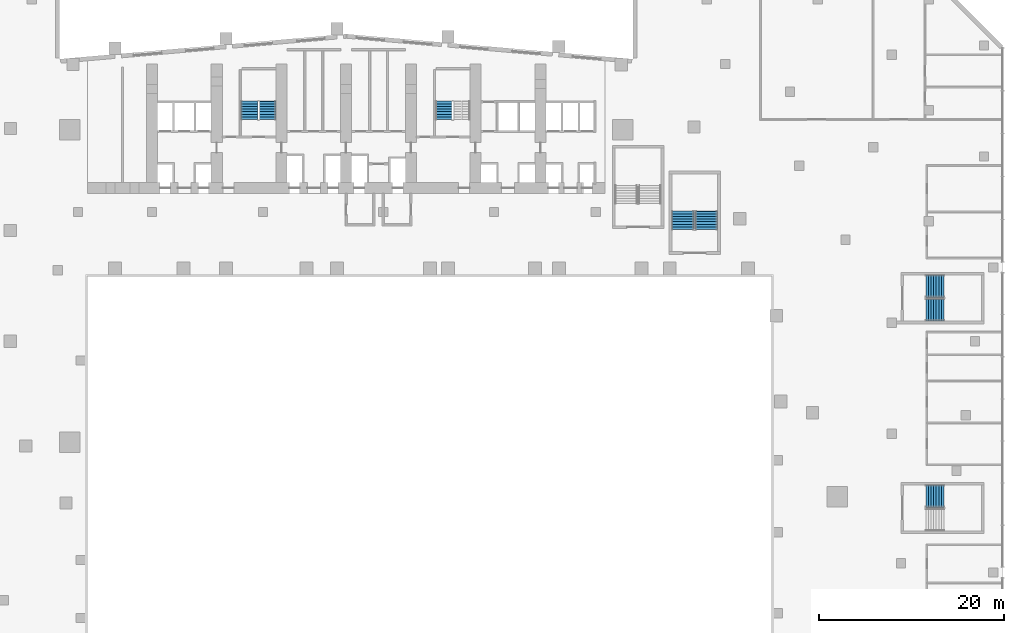
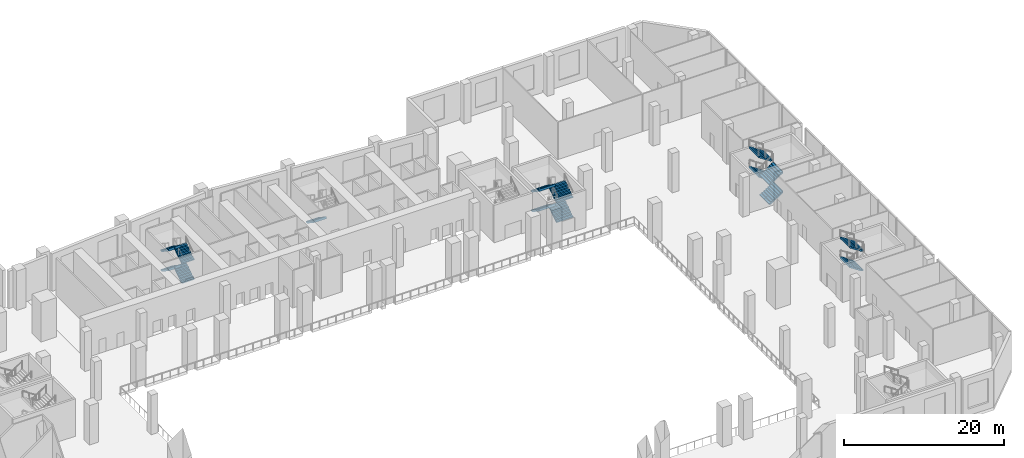
# One storey, part 20 of 30: 15 stair flights, 5 elements without a shape of their own.
"""IFC4 building model written with IfcOpenShell, lengths in metres."""

import ifcopenshell
import ifcopenshell.guid

model = None  # the IFC model being written
_history = None  # IfcOwnerHistory: only IFC2X3 demands one
_inside = {}  # id of a spatial element -> (the spatial element, [elements in it])
_under = {}  # id of a project, library or spatial element -> (it, [spatial elements below it])
_declared = {}  # id of a project -> (the project, [libraries it declares])
_typed = {}  # id of a type object -> (the type object, [elements of that type])
_made_of = {}  # id of a material, layer set ... -> (it, [elements and type objects made of it])


def new_model(schema):
    """Start an empty IFC model of exactly this schema.

    Asked for "IFC4X3", IfcOpenShell would pick the latest addendum, in which some entities
    have other attributes; the version numbers below select the first issue.
    IFC2X3 requires an IfcOwnerHistory on every rooted entity: one is made here for all.
    """
    global model, _history
    if schema == "IFC4X3":
        model = ifcopenshell.file(schema_version=(4, 3, 0, 0))
    else:
        model = ifcopenshell.file(schema=schema)
    _inside.clear()
    _under.clear()
    _declared.clear()
    _typed.clear()
    _made_of.clear()
    _history = None
    if model.schema == "IFC2X3":
        org = make("IfcOrganization", Name="unknown")
        user = make(
            "IfcPersonAndOrganization",
            ThePerson=make("IfcPerson", FamilyName="unknown"),
            TheOrganization=org,
        )
        app = make(
            "IfcApplication",
            ApplicationDeveloper=org,
            Version="unknown",
            ApplicationFullName="unknown",
            ApplicationIdentifier="unknown",
        )
        _history = make(
            "IfcOwnerHistory",
            OwningUser=user,
            OwningApplication=app,
            ChangeAction="ADDED",
            CreationDate=0,
        )
    return model


def make(cls, **values):
    """One entity of the class cls with the attributes given. An attribute that is None is left unset."""
    return model.create_entity(
        cls, **{name: value for name, value in values.items() if value is not None}
    )


def rooted(cls, **values):
    """An entity with a GlobalId (a new one), such as an element, a storey or a relation."""
    return make(cls, GlobalId=ifcopenshell.guid.new(), OwnerHistory=_history, **values)


def si_unit(unit_type, name, prefix=None):
    """IfcSIUnit, for example si_unit("LENGTHUNIT", "METRE", prefix="MILLI")."""
    return make("IfcSIUnit", UnitType=unit_type, Prefix=prefix, Name=name)


def assignment(units):
    """IfcUnitAssignment: the units of a project."""
    return None if units is None else make("IfcUnitAssignment", Units=units)


def point(xyz):
    """IfcCartesianPoint."""
    return None if xyz is None else make("IfcCartesianPoint", Coordinates=xyz)


def direction(xyz):
    """IfcDirection."""
    return None if xyz is None else make("IfcDirection", DirectionRatios=xyz)


def frame(location, z_axis=None, x_axis=None):
    """IfcAxis2Placement3D, a coordinate frame: its origin and axes. An axis left out is left unset."""
    return make(
        "IfcAxis2Placement3D",
        Location=point(location),
        Axis=direction(z_axis),
        RefDirection=direction(x_axis),
    )


def origin():
    """The frame at (0, 0, 0) with its axes left unset."""
    return frame((0.0, 0.0, 0.0))


def place(relative_to, where):
    """IfcLocalPlacement: puts the frame where relative to a parent placement (None: the world)."""
    return make(
        "IfcLocalPlacement", PlacementRelTo=relative_to, RelativePlacement=where
    )


def context(
    kind, dimensions, precision=None, world=None, true_north=None, identifier=None
):
    """IfcGeometricRepresentationContext, for example the 3D "Model" context."""
    return make(
        "IfcGeometricRepresentationContext",
        ContextIdentifier=identifier,
        ContextType=kind,
        CoordinateSpaceDimension=dimensions,
        Precision=precision,
        WorldCoordinateSystem=world,
        TrueNorth=true_north,
    )


def subcontext(parent, identifier, kind, view, scale=None):
    """IfcGeometricRepresentationSubContext, for example "Body" below "Model"."""
    return make(
        "IfcGeometricRepresentationSubContext",
        ContextIdentifier=identifier,
        ContextType=kind,
        ParentContext=parent,
        TargetScale=scale,
        TargetView=view,
    )


def project(units=None, contexts=None):
    """IfcProject with its units and contexts."""
    return rooted(
        "IfcProject",
        Name="project",
        RepresentationContexts=contexts,
        UnitsInContext=assignment(units),
    )


def spatial(cls, under=None, at=None, **own):
    """A site, building, storey or space (cls), placed at a placement, below another one or the project."""
    s = rooted(cls, ObjectPlacement=at, **own)
    if under is not None:
        _under.setdefault(under.id(), (under, []))[1].append(s)
    return s


def polyline(points):
    """IfcPolyline through the points."""
    return make("IfcPolyline", Points=[point(p) for p in points])


def outline(outer, holes=None, kind="AREA"):
    """IfcArbitraryClosedProfileDef: a profile drawn as a closed curve; with holes, ...WithVoids."""
    if holes is None:
        return make("IfcArbitraryClosedProfileDef", ProfileType=kind, OuterCurve=outer)
    return make(
        "IfcArbitraryProfileDefWithVoids",
        ProfileType=kind,
        OuterCurve=outer,
        InnerCurves=holes,
    )


def extrude(swept, where, along, depth):
    """IfcExtrudedAreaSolid: the profile swept, set in the frame where, extruded along a direction by depth."""
    return make(
        "IfcExtrudedAreaSolid",
        SweptArea=swept,
        Position=where,
        ExtrudedDirection=direction(along),
        Depth=depth,
    )


def shape(context_of_items, identifier, shape_type, items):
    """IfcShapeRepresentation: the items that make up one representation, for example the "Body"."""
    return make(
        "IfcShapeRepresentation",
        ContextOfItems=context_of_items,
        RepresentationIdentifier=identifier,
        RepresentationType=shape_type,
        Items=items,
    )


def material(Name=None, Category=None):
    """IfcMaterial."""
    return make("IfcMaterial", Name=Name, Category=Category)


def made_of(thing, what):
    """Note that an element or type object is made of a material, layer set ...; save() writes the relation."""
    if what is not None:
        _made_of.setdefault(what.id(), (what, []))[1].append(thing)
    return thing


def type_object(cls, material=None, **own):
    """A type object (cls), such as IfcWallType, which elements share."""
    return made_of(rooted(cls, **own), material)


def element(
    cls,
    number,
    at=None,
    inside=None,
    cuts=None,
    type_object=None,
    material=None,
    context=None,
    identifier="Body",
    shape_type=None,
    held_by="IfcProductDefinitionShape",
    body=None,
    shapes=None,
    **own,
):
    """One element of the class cls, such as IfcWall. Its Tag is "e" and its number.

    at: its placement. inside: the storey or other place that contains it. cuts: it is an
    opening in that element (IfcRelVoidsElement). A single representation is given by context,
    identifier, shape_type and body (its items); several are given by shapes. held_by: the class
    of the entity that holds the representations. save() writes the other relations.
    """
    e = rooted(cls, Tag="e%d" % number, ObjectPlacement=at, **own)
    if body is not None:
        shapes = [shape(context, identifier, shape_type, body)]
    if shapes is not None:
        e.Representation = make(held_by, Representations=shapes)
    if inside is not None:
        _inside.setdefault(inside.id(), (inside, []))[1].append(e)
    if cuts is not None:
        rooted(
            "IfcRelVoidsElement", RelatingBuildingElement=cuts, RelatedOpeningElement=e
        )
    if type_object is not None:
        _typed.setdefault(type_object.id(), (type_object, []))[1].append(e)
    return made_of(e, material)


def aggregate(whole, parts):
    """IfcRelAggregates: a whole, such as a stair, and the parts it consists of."""
    return rooted("IfcRelAggregates", RelatingObject=whole, RelatedObjects=parts)


def save(model, path):
    """Write the relations noted so far, then the file.

    IfcRelAggregates (storeys below a building ...), IfcRelContainedInSpatialStructure (elements
    in a storey), IfcRelDefinesByType, IfcRelAssociatesMaterial and IfcRelDeclares: one each for
    every whole, place, type object, material and project.
    """
    for whole, parts in _under.values():
        aggregate(whole, parts)
    for where, things in _inside.values():
        rooted(
            "IfcRelContainedInSpatialStructure",
            RelatedElements=things,
            RelatingStructure=where,
        )
    for kind, things in _typed.values():
        rooted("IfcRelDefinesByType", RelatedObjects=things, RelatingType=kind)
    for what, things in _made_of.values():
        rooted("IfcRelAssociatesMaterial", RelatedObjects=things, RelatingMaterial=what)
    for by, libraries in _declared.values():
        rooted("IfcRelDeclares", RelatingContext=by, RelatedDefinitions=libraries)
    model.write(path)


model = new_model("IFC4")

# Units and contexts
model_context = context("Model", 3, precision=1e-05, world=origin(), true_north=direction((0.0, 1.0)))
body_context = subcontext(model_context, "Body", "Model", "MODEL_VIEW")
ifc_project = project(units=[si_unit("LENGTHUNIT", "METRE"), si_unit("AREAUNIT", "SQUARE_METRE"), si_unit("VOLUMEUNIT", "CUBIC_METRE"), si_unit("PLANEANGLEUNIT", "RADIAN"), si_unit("MASSUNIT", "GRAM", prefix="KILO")], contexts=[model_context])

# Site, building, storey
site_placement = place(None, origin())
site = spatial("IfcSite", under=ifc_project, at=site_placement, CompositionType="ELEMENT")
building_placement = place(site_placement, origin())
building = spatial("IfcBuilding", under=site, at=building_placement, Name="Wharfspan Tower", CompositionType="ELEMENT")
storey_placement = place(building_placement, frame((0.0, 0.0, 21.5)))
storey = spatial("IfcBuildingStorey", under=building, at=storey_placement, Name="L03", CompositionType="ELEMENT", Elevation=21.5)

# Stair, stair flights
ifc_material = material(Name="Concrete C40/50", Category="concrete")
stair_type_1 = type_object("IfcStairType", Name="Half-turn stair 2400 wide 32 risers 188 mm", PredefinedType="HALF_TURN_STAIR", material=ifc_material)
stair_1_placement = place(storey_placement, origin())
stair_1 = element("IfcStair", 1, at=stair_1_placement, inside=storey, type_object=stair_type_1, Name="L03 stair AS8", PredefinedType="HALF_TURN_STAIR")
stair_flight_type_1 = type_object("IfcStairFlightType", Name="Stair flight 2400 wide 32 risers 188 mm", PredefinedType="STRAIGHT", material=ifc_material)
stair_flight_1_placement = place(storey_placement, frame((101.659912, 1.25, 1.5), z_axis=(0.0, 0.0, 1.0), x_axis=(-1.0, 0.0, 0.0)))
stair_flight_1 = element("IfcStairFlight", 2, at=stair_flight_1_placement, type_object=stair_flight_type_1, Name="AS8 flight 2", NumberOfRisers=8, NumberOfTreads=7, PredefinedType="STRAIGHT", RiserHeight=0.1875, TreadLength=0.28, context=body_context, shape_type="SweptSolid", body=[
    extrude(outline(polyline([(-0.011963, 0.0), (-0.011963, 0.1875), (0.0, 0.1875), (0.280029, 0.1875), (0.280029, 0.375), (0.560059, 0.375), (0.560059, 0.5625), (0.840088, 0.5625), (0.840088, 0.75), (1.120117, 0.75), (1.120117, 0.9375), (1.399902, 0.9375), (1.399902, 1.125), (1.679932, 1.125), (1.679932, 1.3125), (1.959961, 1.3125), (1.971924, 1.5), (1.971924, 1.13208), (0.269531, 0.0), (-0.011963, 0.0)])), frame((0.0, 1.199951, 0.0), z_axis=(0.0, -1.0, 0.0), x_axis=(1.0, 0.0, 0.0)), (0.0, 0.0, 1.0), 1.179443),
    extrude(outline(polyline([(-0.011963, 0.0), (-0.011963, 0.1875), (0.0, 0.1875), (0.280029, 0.1875), (0.280029, 0.375), (0.560059, 0.375), (0.560059, 0.5625), (0.840088, 0.5625), (0.840088, 0.75), (1.120117, 0.75), (1.120117, 0.9375), (1.399902, 0.9375), (1.399902, 1.125), (1.679932, 1.125), (1.679932, 1.3125), (1.959961, 1.3125), (1.971924, 1.5), (1.971924, 1.13208), (0.269531, 0.0), (-0.011963, 0.0)])), frame((0.0, 0.019531, 0.0), z_axis=(0.0, -1.0, 0.0), x_axis=(1.0, 0.0, 0.0)), (0.0, 0.0, 1.0), 0.019043),
    extrude(outline(polyline([(-0.011963, 0.0), (-0.011963, 0.1875), (0.0, 0.1875), (0.280029, 0.1875), (0.280029, 0.375), (0.560059, 0.375), (0.560059, 0.5625), (0.840088, 0.5625), (0.840088, 0.75), (1.120117, 0.75), (1.120117, 0.9375), (1.399902, 0.9375), (1.399902, 1.125), (1.679932, 1.125), (1.679932, 1.3125), (1.959961, 1.3125), (1.971924, 1.5), (1.971924, 1.13208), (0.269531, 0.0), (-0.011963, 0.0)])), frame((0.0, -0.000488, 0.0), z_axis=(0.0, -1.0, 0.0), x_axis=(1.0, 0.0, 0.0)), (0.0, 0.0, 1.0), 0.019043),
    extrude(outline(polyline([(-0.011963, 0.0), (-0.011963, 0.1875), (0.0, 0.1875), (0.280029, 0.1875), (0.280029, 0.375), (0.560059, 0.375), (0.560059, 0.5625), (0.840088, 0.5625), (0.840088, 0.75), (1.120117, 0.75), (1.120117, 0.9375), (1.399902, 0.9375), (1.399902, 1.125), (1.679932, 1.125), (1.679932, 1.3125), (1.959961, 1.3125), (1.971924, 1.5), (1.971924, 1.13208), (0.269531, 0.0), (-0.011963, 0.0)])), frame((0.0, -0.020508, 0.0), z_axis=(0.0, -1.0, 0.0), x_axis=(1.0, 0.0, 0.0)), (0.0, 0.0, 1.0), 1.179443),
])
stair_flight_2_placement = place(storey_placement, frame((101.659912, 1.25, 4.5), z_axis=(0.0, 0.0, 1.0), x_axis=(-1.0, 0.0, 0.0)))
stair_flight_2 = element("IfcStairFlight", 3, at=stair_flight_2_placement, type_object=stair_flight_type_1, Name="AS8 flight 4", NumberOfRisers=8, NumberOfTreads=7, PredefinedType="STRAIGHT", RiserHeight=0.1875, TreadLength=0.28, context=body_context, shape_type="SweptSolid", body=[
    extrude(outline(polyline([(-0.011963, 0.0), (-0.011963, 0.1875), (0.0, 0.1875), (0.280029, 0.1875), (0.280029, 0.375), (0.560059, 0.375), (0.560059, 0.5625), (0.840088, 0.5625), (0.840088, 0.75), (1.120117, 0.75), (1.120117, 0.9375), (1.399902, 0.9375), (1.399902, 1.125), (1.679932, 1.125), (1.679932, 1.3125), (1.959961, 1.3125), (1.971924, 1.5), (1.971924, 1.13208), (0.269531, 0.0), (-0.011963, 0.0)])), frame((0.0, 1.199951, 0.0), z_axis=(0.0, -1.0, 0.0), x_axis=(1.0, 0.0, 0.0)), (0.0, 0.0, 1.0), 1.179443),
    extrude(outline(polyline([(-0.011963, 0.0), (-0.011963, 0.1875), (0.0, 0.1875), (0.280029, 0.1875), (0.280029, 0.375), (0.560059, 0.375), (0.560059, 0.5625), (0.840088, 0.5625), (0.840088, 0.75), (1.120117, 0.75), (1.120117, 0.9375), (1.399902, 0.9375), (1.399902, 1.125), (1.679932, 1.125), (1.679932, 1.3125), (1.959961, 1.3125), (1.971924, 1.5), (1.971924, 1.13208), (0.269531, 0.0), (-0.011963, 0.0)])), frame((0.0, 0.019531, 0.0), z_axis=(0.0, -1.0, 0.0), x_axis=(1.0, 0.0, 0.0)), (0.0, 0.0, 1.0), 0.019043),
    extrude(outline(polyline([(-0.011963, 0.0), (-0.011963, 0.1875), (0.0, 0.1875), (0.280029, 0.1875), (0.280029, 0.375), (0.560059, 0.375), (0.560059, 0.5625), (0.840088, 0.5625), (0.840088, 0.75), (1.120117, 0.75), (1.120117, 0.9375), (1.399902, 0.9375), (1.399902, 1.125), (1.679932, 1.125), (1.679932, 1.3125), (1.959961, 1.3125), (1.971924, 1.5), (1.971924, 1.13208), (0.269531, 0.0), (-0.011963, 0.0)])), frame((0.0, -0.000488, 0.0), z_axis=(0.0, -1.0, 0.0), x_axis=(1.0, 0.0, 0.0)), (0.0, 0.0, 1.0), 0.019043),
    extrude(outline(polyline([(-0.011963, 0.0), (-0.011963, 0.1875), (0.0, 0.1875), (0.280029, 0.1875), (0.280029, 0.375), (0.560059, 0.375), (0.560059, 0.5625), (0.840088, 0.5625), (0.840088, 0.75), (1.120117, 0.75), (1.120117, 0.9375), (1.399902, 0.9375), (1.399902, 1.125), (1.679932, 1.125), (1.679932, 1.3125), (1.959961, 1.3125), (1.971924, 1.5), (1.971924, 1.13208), (0.269531, 0.0), (-0.011963, 0.0)])), frame((0.0, -0.020508, 0.0), z_axis=(0.0, -1.0, 0.0), x_axis=(1.0, 0.0, 0.0)), (0.0, 0.0, 1.0), 1.179443),
])
aggregate(stair_1, [stair_flight_1, stair_flight_2])

stair_2_placement = place(storey_placement, origin())
stair_2 = element("IfcStair", 4, at=stair_2_placement, inside=storey, type_object=stair_type_1, Name="L03 stair AS4", PredefinedType="HALF_TURN_STAIR")
stair_flight_3_placement = place(storey_placement, frame((99.699951, 21.399902, 0.0), z_axis=(0.0, 0.0, 1.0), x_axis=(1.0, 0.0, 0.0)))
stair_flight_3 = element("IfcStairFlight", 5, at=stair_flight_3_placement, type_object=stair_flight_type_1, Name="AS4 flight 1", NumberOfRisers=8, NumberOfTreads=7, PredefinedType="STRAIGHT", RiserHeight=0.1875, TreadLength=0.28, context=body_context, shape_type="SweptSolid", body=[
    extrude(outline(polyline([(-0.011963, 0.0), (-0.011963, 0.1875), (0.0, 0.1875), (0.280029, 0.1875), (0.280029, 0.375), (0.560059, 0.375), (0.560059, 0.5625), (0.840088, 0.5625), (0.840088, 0.75), (1.120117, 0.75), (1.120117, 0.9375), (1.399902, 0.9375), (1.399902, 1.125), (1.679932, 1.125), (1.679932, 1.3125), (1.959961, 1.3125), (1.971924, 1.5), (1.971924, 1.13208), (0.269531, 0.0), (-0.011963, 0.0)])), frame((0.0, 1.199951, 0.0), z_axis=(0.0, -1.0, 0.0), x_axis=(1.0, 0.0, 0.0)), (0.0, 0.0, 1.0), 1.179443),
    extrude(outline(polyline([(-0.011963, 0.0), (-0.011963, 0.1875), (0.0, 0.1875), (0.280029, 0.1875), (0.280029, 0.375), (0.560059, 0.375), (0.560059, 0.5625), (0.840088, 0.5625), (0.840088, 0.75), (1.120117, 0.75), (1.120117, 0.9375), (1.399902, 0.9375), (1.399902, 1.125), (1.679932, 1.125), (1.679932, 1.3125), (1.959961, 1.3125), (1.971924, 1.5), (1.971924, 1.13208), (0.269531, 0.0), (-0.011963, 0.0)])), frame((0.0, 0.019531, 0.0), z_axis=(0.0, -1.0, 0.0), x_axis=(1.0, 0.0, 0.0)), (0.0, 0.0, 1.0), 0.019043),
    extrude(outline(polyline([(-0.011963, 0.0), (-0.011963, 0.1875), (0.0, 0.1875), (0.280029, 0.1875), (0.280029, 0.375), (0.560059, 0.375), (0.560059, 0.5625), (0.840088, 0.5625), (0.840088, 0.75), (1.120117, 0.75), (1.120117, 0.9375), (1.399902, 0.9375), (1.399902, 1.125), (1.679932, 1.125), (1.679932, 1.3125), (1.959961, 1.3125), (1.971924, 1.5), (1.971924, 1.13208), (0.269531, 0.0), (-0.011963, 0.0)])), frame((0.0, -0.000488, 0.0), z_axis=(0.0, -1.0, 0.0), x_axis=(1.0, 0.0, 0.0)), (0.0, 0.0, 1.0), 0.019043),
    extrude(outline(polyline([(-0.011963, 0.0), (-0.011963, 0.1875), (0.0, 0.1875), (0.280029, 0.1875), (0.280029, 0.375), (0.560059, 0.375), (0.560059, 0.5625), (0.840088, 0.5625), (0.840088, 0.75), (1.120117, 0.75), (1.120117, 0.9375), (1.399902, 0.9375), (1.399902, 1.125), (1.679932, 1.125), (1.679932, 1.3125), (1.959961, 1.3125), (1.971924, 1.5), (1.971924, 1.13208), (0.269531, 0.0), (-0.011963, 0.0)])), frame((0.0, -0.020508, 0.0), z_axis=(0.0, -1.0, 0.0), x_axis=(1.0, 0.0, 0.0)), (0.0, 0.0, 1.0), 1.179443),
])
stair_flight_4_placement = place(storey_placement, frame((101.659912, 23.949951, 1.5), z_axis=(0.0, 0.0, 1.0), x_axis=(-1.0, 0.0, 0.0)))
stair_flight_4 = element("IfcStairFlight", 6, at=stair_flight_4_placement, type_object=stair_flight_type_1, Name="AS4 flight 2", NumberOfRisers=8, NumberOfTreads=7, PredefinedType="STRAIGHT", RiserHeight=0.1875, TreadLength=0.28, context=body_context, shape_type="SweptSolid", body=[
    extrude(outline(polyline([(-0.011963, 0.0), (-0.011963, 0.1875), (0.0, 0.1875), (0.280029, 0.1875), (0.280029, 0.375), (0.560059, 0.375), (0.560059, 0.5625), (0.840088, 0.5625), (0.840088, 0.75), (1.120117, 0.75), (1.120117, 0.9375), (1.399902, 0.9375), (1.399902, 1.125), (1.679932, 1.125), (1.679932, 1.3125), (1.959961, 1.3125), (1.971924, 1.5), (1.971924, 1.13208), (0.269531, 0.0), (-0.011963, 0.0)])), frame((0.0, 1.199951, 0.0), z_axis=(0.0, -1.0, 0.0), x_axis=(1.0, 0.0, 0.0)), (0.0, 0.0, 1.0), 1.179443),
    extrude(outline(polyline([(-0.011963, 0.0), (-0.011963, 0.1875), (0.0, 0.1875), (0.280029, 0.1875), (0.280029, 0.375), (0.560059, 0.375), (0.560059, 0.5625), (0.840088, 0.5625), (0.840088, 0.75), (1.120117, 0.75), (1.120117, 0.9375), (1.399902, 0.9375), (1.399902, 1.125), (1.679932, 1.125), (1.679932, 1.3125), (1.959961, 1.3125), (1.971924, 1.5), (1.971924, 1.13208), (0.269531, 0.0), (-0.011963, 0.0)])), frame((0.0, 0.019531, 0.0), z_axis=(0.0, -1.0, 0.0), x_axis=(1.0, 0.0, 0.0)), (0.0, 0.0, 1.0), 0.019043),
    extrude(outline(polyline([(-0.011963, 0.0), (-0.011963, 0.1875), (0.0, 0.1875), (0.280029, 0.1875), (0.280029, 0.375), (0.560059, 0.375), (0.560059, 0.5625), (0.840088, 0.5625), (0.840088, 0.75), (1.120117, 0.75), (1.120117, 0.9375), (1.399902, 0.9375), (1.399902, 1.125), (1.679932, 1.125), (1.679932, 1.3125), (1.959961, 1.3125), (1.971924, 1.5), (1.971924, 1.13208), (0.269531, 0.0), (-0.011963, 0.0)])), frame((0.0, -0.000488, 0.0), z_axis=(0.0, -1.0, 0.0), x_axis=(1.0, 0.0, 0.0)), (0.0, 0.0, 1.0), 0.019043),
    extrude(outline(polyline([(-0.011963, 0.0), (-0.011963, 0.1875), (0.0, 0.1875), (0.280029, 0.1875), (0.280029, 0.375), (0.560059, 0.375), (0.560059, 0.5625), (0.840088, 0.5625), (0.840088, 0.75), (1.120117, 0.75), (1.120117, 0.9375), (1.399902, 0.9375), (1.399902, 1.125), (1.679932, 1.125), (1.679932, 1.3125), (1.959961, 1.3125), (1.971924, 1.5), (1.971924, 1.13208), (0.269531, 0.0), (-0.011963, 0.0)])), frame((0.0, -0.020508, 0.0), z_axis=(0.0, -1.0, 0.0), x_axis=(1.0, 0.0, 0.0)), (0.0, 0.0, 1.0), 1.179443),
])
stair_flight_5_placement = place(storey_placement, frame((99.699951, 21.399902, 3.0), z_axis=(0.0, 0.0, 1.0), x_axis=(1.0, 0.0, 0.0)))
stair_flight_5 = element("IfcStairFlight", 7, at=stair_flight_5_placement, type_object=stair_flight_type_1, Name="AS4 flight 3", NumberOfRisers=8, NumberOfTreads=7, PredefinedType="STRAIGHT", RiserHeight=0.1875, TreadLength=0.28, context=body_context, shape_type="SweptSolid", body=[
    extrude(outline(polyline([(-0.011963, 0.0), (-0.011963, 0.1875), (0.0, 0.1875), (0.280029, 0.1875), (0.280029, 0.375), (0.560059, 0.375), (0.560059, 0.5625), (0.840088, 0.5625), (0.840088, 0.75), (1.120117, 0.75), (1.120117, 0.9375), (1.399902, 0.9375), (1.399902, 1.125), (1.679932, 1.125), (1.679932, 1.3125), (1.959961, 1.3125), (1.971924, 1.5), (1.971924, 1.13208), (0.269531, 0.0), (-0.011963, 0.0)])), frame((0.0, 1.199951, 0.0), z_axis=(0.0, -1.0, 0.0), x_axis=(1.0, 0.0, 0.0)), (0.0, 0.0, 1.0), 1.179443),
    extrude(outline(polyline([(-0.011963, 0.0), (-0.011963, 0.1875), (0.0, 0.1875), (0.280029, 0.1875), (0.280029, 0.375), (0.560059, 0.375), (0.560059, 0.5625), (0.840088, 0.5625), (0.840088, 0.75), (1.120117, 0.75), (1.120117, 0.9375), (1.399902, 0.9375), (1.399902, 1.125), (1.679932, 1.125), (1.679932, 1.3125), (1.959961, 1.3125), (1.971924, 1.5), (1.971924, 1.13208), (0.269531, 0.0), (-0.011963, 0.0)])), frame((0.0, 0.019531, 0.0), z_axis=(0.0, -1.0, 0.0), x_axis=(1.0, 0.0, 0.0)), (0.0, 0.0, 1.0), 0.019043),
    extrude(outline(polyline([(-0.011963, 0.0), (-0.011963, 0.1875), (0.0, 0.1875), (0.280029, 0.1875), (0.280029, 0.375), (0.560059, 0.375), (0.560059, 0.5625), (0.840088, 0.5625), (0.840088, 0.75), (1.120117, 0.75), (1.120117, 0.9375), (1.399902, 0.9375), (1.399902, 1.125), (1.679932, 1.125), (1.679932, 1.3125), (1.959961, 1.3125), (1.971924, 1.5), (1.971924, 1.13208), (0.269531, 0.0), (-0.011963, 0.0)])), frame((0.0, -0.000488, 0.0), z_axis=(0.0, -1.0, 0.0), x_axis=(1.0, 0.0, 0.0)), (0.0, 0.0, 1.0), 0.019043),
    extrude(outline(polyline([(-0.011963, 0.0), (-0.011963, 0.1875), (0.0, 0.1875), (0.280029, 0.1875), (0.280029, 0.375), (0.560059, 0.375), (0.560059, 0.5625), (0.840088, 0.5625), (0.840088, 0.75), (1.120117, 0.75), (1.120117, 0.9375), (1.399902, 0.9375), (1.399902, 1.125), (1.679932, 1.125), (1.679932, 1.3125), (1.959961, 1.3125), (1.971924, 1.5), (1.971924, 1.13208), (0.269531, 0.0), (-0.011963, 0.0)])), frame((0.0, -0.020508, 0.0), z_axis=(0.0, -1.0, 0.0), x_axis=(1.0, 0.0, 0.0)), (0.0, 0.0, 1.0), 1.179443),
])
stair_flight_6_placement = place(storey_placement, frame((101.659912, 23.949951, 4.5), z_axis=(0.0, 0.0, 1.0), x_axis=(-1.0, 0.0, 0.0)))
stair_flight_6 = element("IfcStairFlight", 8, at=stair_flight_6_placement, type_object=stair_flight_type_1, Name="AS4 flight 4", NumberOfRisers=8, NumberOfTreads=7, PredefinedType="STRAIGHT", RiserHeight=0.1875, TreadLength=0.28, context=body_context, shape_type="SweptSolid", body=[
    extrude(outline(polyline([(-0.011963, 0.0), (-0.011963, 0.1875), (0.0, 0.1875), (0.280029, 0.1875), (0.280029, 0.375), (0.560059, 0.375), (0.560059, 0.5625), (0.840088, 0.5625), (0.840088, 0.75), (1.120117, 0.75), (1.120117, 0.9375), (1.399902, 0.9375), (1.399902, 1.125), (1.679932, 1.125), (1.679932, 1.3125), (1.959961, 1.3125), (1.971924, 1.5), (1.971924, 1.13208), (0.269531, 0.0), (-0.011963, 0.0)])), frame((0.0, 1.199951, 0.0), z_axis=(0.0, -1.0, 0.0), x_axis=(1.0, 0.0, 0.0)), (0.0, 0.0, 1.0), 1.179443),
    extrude(outline(polyline([(-0.011963, 0.0), (-0.011963, 0.1875), (0.0, 0.1875), (0.280029, 0.1875), (0.280029, 0.375), (0.560059, 0.375), (0.560059, 0.5625), (0.840088, 0.5625), (0.840088, 0.75), (1.120117, 0.75), (1.120117, 0.9375), (1.399902, 0.9375), (1.399902, 1.125), (1.679932, 1.125), (1.679932, 1.3125), (1.959961, 1.3125), (1.971924, 1.5), (1.971924, 1.13208), (0.269531, 0.0), (-0.011963, 0.0)])), frame((0.0, 0.019531, 0.0), z_axis=(0.0, -1.0, 0.0), x_axis=(1.0, 0.0, 0.0)), (0.0, 0.0, 1.0), 0.019043),
    extrude(outline(polyline([(-0.011963, 0.0), (-0.011963, 0.1875), (0.0, 0.1875), (0.280029, 0.1875), (0.280029, 0.375), (0.560059, 0.375), (0.560059, 0.5625), (0.840088, 0.5625), (0.840088, 0.75), (1.120117, 0.75), (1.120117, 0.9375), (1.399902, 0.9375), (1.399902, 1.125), (1.679932, 1.125), (1.679932, 1.3125), (1.959961, 1.3125), (1.971924, 1.5), (1.971924, 1.13208), (0.269531, 0.0), (-0.011963, 0.0)])), frame((0.0, -0.000488, 0.0), z_axis=(0.0, -1.0, 0.0), x_axis=(1.0, 0.0, 0.0)), (0.0, 0.0, 1.0), 0.019043),
    extrude(outline(polyline([(-0.011963, 0.0), (-0.011963, 0.1875), (0.0, 0.1875), (0.280029, 0.1875), (0.280029, 0.375), (0.560059, 0.375), (0.560059, 0.5625), (0.840088, 0.5625), (0.840088, 0.75), (1.120117, 0.75), (1.120117, 0.9375), (1.399902, 0.9375), (1.399902, 1.125), (1.679932, 1.125), (1.679932, 1.3125), (1.959961, 1.3125), (1.971924, 1.5), (1.971924, 1.13208), (0.269531, 0.0), (-0.011963, 0.0)])), frame((0.0, -0.020508, 0.0), z_axis=(0.0, -1.0, 0.0), x_axis=(1.0, 0.0, 0.0)), (0.0, 0.0, 1.0), 1.179443),
])
aggregate(stair_2, [stair_flight_3, stair_flight_4, stair_flight_5, stair_flight_6])

stair_3_placement = place(storey_placement, origin())
stair_3 = element("IfcStair", 9, at=stair_3_placement, inside=storey, type_object=stair_type_1, Name="L03 stair PS5", PredefinedType="HALF_TURN_STAIR")
stair_flight_7_placement = place(storey_placement, frame((75.967529, 30.100098, 0.0), z_axis=(0.0, 0.0, 1.0), x_axis=(0.0, 1.0, 0.0)))
stair_flight_7 = element("IfcStairFlight", 10, at=stair_flight_7_placement, type_object=stair_flight_type_1, Name="PS5 flight 1", NumberOfRisers=8, NumberOfTreads=7, PredefinedType="STRAIGHT", RiserHeight=0.1875, TreadLength=0.28, context=body_context, shape_type="SweptSolid", body=[
    extrude(outline(polyline([(-0.011963, 0.0), (-0.011963, 0.1875), (0.0, 0.1875), (0.280029, 0.1875), (0.280029, 0.375), (0.560059, 0.375), (0.560059, 0.5625), (0.840088, 0.5625), (0.840088, 0.75), (1.120117, 0.75), (1.120117, 0.9375), (1.399902, 0.9375), (1.399902, 1.125), (1.679932, 1.125), (1.679932, 1.3125), (1.959961, 1.3125), (1.971924, 1.5), (1.971924, 1.13208), (0.269531, 0.0), (-0.011963, 0.0)])), frame((0.0, 1.199951, 0.0), z_axis=(0.0, -1.0, 0.0), x_axis=(1.0, 0.0, 0.0)), (0.0, 0.0, 1.0), 1.179443),
    extrude(outline(polyline([(-0.011963, 0.0), (-0.011963, 0.1875), (0.0, 0.1875), (0.280029, 0.1875), (0.280029, 0.375), (0.560059, 0.375), (0.560059, 0.5625), (0.840088, 0.5625), (0.840088, 0.75), (1.120117, 0.75), (1.120117, 0.9375), (1.399902, 0.9375), (1.399902, 1.125), (1.679932, 1.125), (1.679932, 1.3125), (1.959961, 1.3125), (1.971924, 1.5), (1.971924, 1.13208), (0.269531, 0.0), (-0.011963, 0.0)])), frame((0.0, 0.019531, 0.0), z_axis=(0.0, -1.0, 0.0), x_axis=(1.0, 0.0, 0.0)), (0.0, 0.0, 1.0), 0.019043),
    extrude(outline(polyline([(-0.011963, 0.0), (-0.011963, 0.1875), (0.0, 0.1875), (0.280029, 0.1875), (0.280029, 0.375), (0.560059, 0.375), (0.560059, 0.5625), (0.840088, 0.5625), (0.840088, 0.75), (1.120117, 0.75), (1.120117, 0.9375), (1.399902, 0.9375), (1.399902, 1.125), (1.679932, 1.125), (1.679932, 1.3125), (1.959961, 1.3125), (1.971924, 1.5), (1.971924, 1.13208), (0.269531, 0.0), (-0.011963, 0.0)])), frame((0.0, -0.000488, 0.0), z_axis=(0.0, -1.0, 0.0), x_axis=(1.0, 0.0, 0.0)), (0.0, 0.0, 1.0), 0.019043),
    extrude(outline(polyline([(-0.011963, 0.0), (-0.011963, 0.1875), (0.0, 0.1875), (0.280029, 0.1875), (0.280029, 0.375), (0.560059, 0.375), (0.560059, 0.5625), (0.840088, 0.5625), (0.840088, 0.75), (1.120117, 0.75), (1.120117, 0.9375), (1.399902, 0.9375), (1.399902, 1.125), (1.679932, 1.125), (1.679932, 1.3125), (1.959961, 1.3125), (1.971924, 1.5), (1.971924, 1.13208), (0.269531, 0.0), (-0.011963, 0.0)])), frame((0.0, -0.020508, 0.0), z_axis=(0.0, -1.0, 0.0), x_axis=(1.0, 0.0, 0.0)), (0.0, 0.0, 1.0), 1.179443),
])
stair_flight_8_placement = place(storey_placement, frame((73.41748, 32.060059, 1.5), z_axis=(0.0, 0.0, 1.0), x_axis=(0.0, -1.0, 0.0)))
stair_flight_8 = element("IfcStairFlight", 11, at=stair_flight_8_placement, type_object=stair_flight_type_1, Name="PS5 flight 2", NumberOfRisers=8, NumberOfTreads=7, PredefinedType="STRAIGHT", RiserHeight=0.1875, TreadLength=0.28, context=body_context, shape_type="SweptSolid", body=[
    extrude(outline(polyline([(-0.011963, 0.0), (-0.011963, 0.1875), (0.0, 0.1875), (0.280029, 0.1875), (0.280029, 0.375), (0.560059, 0.375), (0.560059, 0.5625), (0.840088, 0.5625), (0.840088, 0.75), (1.120117, 0.75), (1.120117, 0.9375), (1.399902, 0.9375), (1.399902, 1.125), (1.679932, 1.125), (1.679932, 1.3125), (1.959961, 1.3125), (1.971924, 1.5), (1.971924, 1.13208), (0.269531, 0.0), (-0.011963, 0.0)])), frame((0.0, 1.199951, 0.0), z_axis=(0.0, -1.0, 0.0), x_axis=(1.0, 0.0, 0.0)), (0.0, 0.0, 1.0), 1.179443),
    extrude(outline(polyline([(-0.011963, 0.0), (-0.011963, 0.1875), (0.0, 0.1875), (0.280029, 0.1875), (0.280029, 0.375), (0.560059, 0.375), (0.560059, 0.5625), (0.840088, 0.5625), (0.840088, 0.75), (1.120117, 0.75), (1.120117, 0.9375), (1.399902, 0.9375), (1.399902, 1.125), (1.679932, 1.125), (1.679932, 1.3125), (1.959961, 1.3125), (1.971924, 1.5), (1.971924, 1.13208), (0.269531, 0.0), (-0.011963, 0.0)])), frame((0.0, 0.019531, 0.0), z_axis=(0.0, -1.0, 0.0), x_axis=(1.0, 0.0, 0.0)), (0.0, 0.0, 1.0), 0.019043),
    extrude(outline(polyline([(-0.011963, 0.0), (-0.011963, 0.1875), (0.0, 0.1875), (0.280029, 0.1875), (0.280029, 0.375), (0.560059, 0.375), (0.560059, 0.5625), (0.840088, 0.5625), (0.840088, 0.75), (1.120117, 0.75), (1.120117, 0.9375), (1.399902, 0.9375), (1.399902, 1.125), (1.679932, 1.125), (1.679932, 1.3125), (1.959961, 1.3125), (1.971924, 1.5), (1.971924, 1.13208), (0.269531, 0.0), (-0.011963, 0.0)])), frame((0.0, -0.000488, 0.0), z_axis=(0.0, -1.0, 0.0), x_axis=(1.0, 0.0, 0.0)), (0.0, 0.0, 1.0), 0.019043),
    extrude(outline(polyline([(-0.011963, 0.0), (-0.011963, 0.1875), (0.0, 0.1875), (0.280029, 0.1875), (0.280029, 0.375), (0.560059, 0.375), (0.560059, 0.5625), (0.840088, 0.5625), (0.840088, 0.75), (1.120117, 0.75), (1.120117, 0.9375), (1.399902, 0.9375), (1.399902, 1.125), (1.679932, 1.125), (1.679932, 1.3125), (1.959961, 1.3125), (1.971924, 1.5), (1.971924, 1.13208), (0.269531, 0.0), (-0.011963, 0.0)])), frame((0.0, -0.020508, 0.0), z_axis=(0.0, -1.0, 0.0), x_axis=(1.0, 0.0, 0.0)), (0.0, 0.0, 1.0), 1.179443),
])
stair_flight_9_placement = place(storey_placement, frame((75.967529, 30.100098, 3.0), z_axis=(0.0, 0.0, 1.0), x_axis=(0.0, 1.0, 0.0)))
stair_flight_9 = element("IfcStairFlight", 12, at=stair_flight_9_placement, type_object=stair_flight_type_1, Name="PS5 flight 3", NumberOfRisers=8, NumberOfTreads=7, PredefinedType="STRAIGHT", RiserHeight=0.1875, TreadLength=0.28, context=body_context, shape_type="SweptSolid", body=[
    extrude(outline(polyline([(-0.011963, 0.0), (-0.011963, 0.1875), (0.0, 0.1875), (0.280029, 0.1875), (0.280029, 0.375), (0.560059, 0.375), (0.560059, 0.5625), (0.840088, 0.5625), (0.840088, 0.75), (1.120117, 0.75), (1.120117, 0.9375), (1.399902, 0.9375), (1.399902, 1.125), (1.679932, 1.125), (1.679932, 1.3125), (1.959961, 1.3125), (1.971924, 1.5), (1.971924, 1.13208), (0.269531, 0.0), (-0.011963, 0.0)])), frame((0.0, 1.199951, 0.0), z_axis=(0.0, -1.0, 0.0), x_axis=(1.0, 0.0, 0.0)), (0.0, 0.0, 1.0), 1.179443),
    extrude(outline(polyline([(-0.011963, 0.0), (-0.011963, 0.1875), (0.0, 0.1875), (0.280029, 0.1875), (0.280029, 0.375), (0.560059, 0.375), (0.560059, 0.5625), (0.840088, 0.5625), (0.840088, 0.75), (1.120117, 0.75), (1.120117, 0.9375), (1.399902, 0.9375), (1.399902, 1.125), (1.679932, 1.125), (1.679932, 1.3125), (1.959961, 1.3125), (1.971924, 1.5), (1.971924, 1.13208), (0.269531, 0.0), (-0.011963, 0.0)])), frame((0.0, 0.019531, 0.0), z_axis=(0.0, -1.0, 0.0), x_axis=(1.0, 0.0, 0.0)), (0.0, 0.0, 1.0), 0.019043),
    extrude(outline(polyline([(-0.011963, 0.0), (-0.011963, 0.1875), (0.0, 0.1875), (0.280029, 0.1875), (0.280029, 0.375), (0.560059, 0.375), (0.560059, 0.5625), (0.840088, 0.5625), (0.840088, 0.75), (1.120117, 0.75), (1.120117, 0.9375), (1.399902, 0.9375), (1.399902, 1.125), (1.679932, 1.125), (1.679932, 1.3125), (1.959961, 1.3125), (1.971924, 1.5), (1.971924, 1.13208), (0.269531, 0.0), (-0.011963, 0.0)])), frame((0.0, -0.000488, 0.0), z_axis=(0.0, -1.0, 0.0), x_axis=(1.0, 0.0, 0.0)), (0.0, 0.0, 1.0), 0.019043),
    extrude(outline(polyline([(-0.011963, 0.0), (-0.011963, 0.1875), (0.0, 0.1875), (0.280029, 0.1875), (0.280029, 0.375), (0.560059, 0.375), (0.560059, 0.5625), (0.840088, 0.5625), (0.840088, 0.75), (1.120117, 0.75), (1.120117, 0.9375), (1.399902, 0.9375), (1.399902, 1.125), (1.679932, 1.125), (1.679932, 1.3125), (1.959961, 1.3125), (1.971924, 1.5), (1.971924, 1.13208), (0.269531, 0.0), (-0.011963, 0.0)])), frame((0.0, -0.020508, 0.0), z_axis=(0.0, -1.0, 0.0), x_axis=(1.0, 0.0, 0.0)), (0.0, 0.0, 1.0), 1.179443),
])
stair_flight_10_placement = place(storey_placement, frame((73.41748, 32.060059, 4.5), z_axis=(0.0, 0.0, 1.0), x_axis=(0.0, -1.0, 0.0)))
stair_flight_10 = element("IfcStairFlight", 13, at=stair_flight_10_placement, type_object=stair_flight_type_1, Name="PS5 flight 4", NumberOfRisers=8, NumberOfTreads=7, PredefinedType="STRAIGHT", RiserHeight=0.1875, TreadLength=0.28, context=body_context, shape_type="SweptSolid", body=[
    extrude(outline(polyline([(-0.011963, 0.0), (-0.011963, 0.1875), (0.0, 0.1875), (0.280029, 0.1875), (0.280029, 0.375), (0.560059, 0.375), (0.560059, 0.5625), (0.840088, 0.5625), (0.840088, 0.75), (1.120117, 0.75), (1.120117, 0.9375), (1.399902, 0.9375), (1.399902, 1.125), (1.679932, 1.125), (1.679932, 1.3125), (1.959961, 1.3125), (1.971924, 1.5), (1.971924, 1.13208), (0.269531, 0.0), (-0.011963, 0.0)])), frame((0.0, 1.199951, 0.0), z_axis=(0.0, -1.0, 0.0), x_axis=(1.0, 0.0, 0.0)), (0.0, 0.0, 1.0), 1.179443),
    extrude(outline(polyline([(-0.011963, 0.0), (-0.011963, 0.1875), (0.0, 0.1875), (0.280029, 0.1875), (0.280029, 0.375), (0.560059, 0.375), (0.560059, 0.5625), (0.840088, 0.5625), (0.840088, 0.75), (1.120117, 0.75), (1.120117, 0.9375), (1.399902, 0.9375), (1.399902, 1.125), (1.679932, 1.125), (1.679932, 1.3125), (1.959961, 1.3125), (1.971924, 1.5), (1.971924, 1.13208), (0.269531, 0.0), (-0.011963, 0.0)])), frame((0.0, 0.019531, 0.0), z_axis=(0.0, -1.0, 0.0), x_axis=(1.0, 0.0, 0.0)), (0.0, 0.0, 1.0), 0.019043),
    extrude(outline(polyline([(-0.011963, 0.0), (-0.011963, 0.1875), (0.0, 0.1875), (0.280029, 0.1875), (0.280029, 0.375), (0.560059, 0.375), (0.560059, 0.5625), (0.840088, 0.5625), (0.840088, 0.75), (1.120117, 0.75), (1.120117, 0.9375), (1.399902, 0.9375), (1.399902, 1.125), (1.679932, 1.125), (1.679932, 1.3125), (1.959961, 1.3125), (1.971924, 1.5), (1.971924, 1.13208), (0.269531, 0.0), (-0.011963, 0.0)])), frame((0.0, -0.000488, 0.0), z_axis=(0.0, -1.0, 0.0), x_axis=(1.0, 0.0, 0.0)), (0.0, 0.0, 1.0), 0.019043),
    extrude(outline(polyline([(-0.011963, 0.0), (-0.011963, 0.1875), (0.0, 0.1875), (0.280029, 0.1875), (0.280029, 0.375), (0.560059, 0.375), (0.560059, 0.5625), (0.840088, 0.5625), (0.840088, 0.75), (1.120117, 0.75), (1.120117, 0.9375), (1.399902, 0.9375), (1.399902, 1.125), (1.679932, 1.125), (1.679932, 1.3125), (1.959961, 1.3125), (1.971924, 1.5), (1.971924, 1.13208), (0.269531, 0.0), (-0.011963, 0.0)])), frame((0.0, -0.020508, 0.0), z_axis=(0.0, -1.0, 0.0), x_axis=(1.0, 0.0, 0.0)), (0.0, 0.0, 1.0), 1.179443),
])
aggregate(stair_3, [stair_flight_7, stair_flight_8, stair_flight_9, stair_flight_10])

stair_type_2 = type_object("IfcStairType", Name="Half-turn stair 32 risers 188 mm", PredefinedType="HALF_TURN_STAIR", material=ifc_material)
stair_4_placement = place(storey_placement, origin())
stair_4 = element("IfcStair", 14, at=stair_4_placement, inside=storey, type_object=stair_type_2, Name="L03 stair ST1", PredefinedType="HALF_TURN_STAIR")
stair_flight_type_2 = type_object("IfcStairFlightType", Name="Stair flight 32 risers 188 mm", PredefinedType="STRAIGHT", material=ifc_material)
stair_flight_11_placement = place(storey_placement, frame((28.5, 42.0, 0.0), z_axis=(0.0, 0.0, 1.0), x_axis=(0.0, 1.0, 0.0)))
stair_flight_11 = element("IfcStairFlight", 15, at=stair_flight_11_placement, type_object=stair_flight_type_2, Name="ST1 flight 1", NumberOfRisers=8, NumberOfTreads=7, PredefinedType="STRAIGHT", RiserHeight=0.1875, TreadLength=0.28, context=body_context, shape_type="SweptSolid", body=[
    extrude(outline(polyline([(-0.011963, 0.0), (-0.011963, 0.1875), (0.0, 0.1875), (0.280029, 0.1875), (0.280029, 0.375), (0.560059, 0.375), (0.560059, 0.5625), (0.840088, 0.5625), (0.840088, 0.75), (1.120117, 0.75), (1.120117, 0.9375), (1.399902, 0.9375), (1.399902, 1.125), (1.679932, 1.125), (1.679932, 1.3125), (1.959961, 1.3125), (1.971924, 1.5), (1.971924, 1.13208), (0.269531, 0.0), (-0.011963, 0.0)])), frame((0.0, 0.899902, 0.0), z_axis=(0.0, -1.0, 0.0), x_axis=(1.0, 0.0, 0.0)), (0.0, 0.0, 1.0), 0.899414),
    extrude(outline(polyline([(-0.011963, 0.0), (-0.011963, 0.1875), (0.0, 0.1875), (0.280029, 0.1875), (0.280029, 0.375), (0.560059, 0.375), (0.560059, 0.5625), (0.840088, 0.5625), (0.840088, 0.75), (1.120117, 0.75), (1.120117, 0.9375), (1.399902, 0.9375), (1.399902, 1.125), (1.679932, 1.125), (1.679932, 1.3125), (1.959961, 1.3125), (1.971924, 1.5), (1.971924, 1.13208), (0.269531, 0.0), (-0.011963, 0.0)])), frame((0.0, -0.000488, 0.0), z_axis=(0.0, -1.0, 0.0), x_axis=(1.0, 0.0, 0.0)), (0.0, 0.0, 1.0), 0.899414),
])
stair_flight_12_placement = place(storey_placement, frame((26.550049, 43.959961, 1.5), z_axis=(0.0, 0.0, 1.0), x_axis=(0.0, -1.0, 0.0)))
stair_flight_12 = element("IfcStairFlight", 16, at=stair_flight_12_placement, type_object=stair_flight_type_2, Name="ST1 flight 2", NumberOfRisers=8, NumberOfTreads=7, PredefinedType="STRAIGHT", RiserHeight=0.1875, TreadLength=0.28, context=body_context, shape_type="SweptSolid", body=[
    extrude(outline(polyline([(-0.011963, 0.0), (-0.011963, 0.1875), (0.0, 0.1875), (0.280029, 0.1875), (0.280029, 0.375), (0.560059, 0.375), (0.560059, 0.5625), (0.840088, 0.5625), (0.840088, 0.75), (1.120117, 0.75), (1.120117, 0.9375), (1.399902, 0.9375), (1.399902, 1.125), (1.679932, 1.125), (1.679932, 1.3125), (1.959961, 1.3125), (1.971924, 1.5), (1.971924, 1.13208), (0.269531, 0.0), (-0.011963, 0.0)])), frame((0.0, 0.899902, 0.0), z_axis=(0.0, -1.0, 0.0), x_axis=(1.0, 0.0, 0.0)), (0.0, 0.0, 1.0), 0.899414),
    extrude(outline(polyline([(-0.011963, 0.0), (-0.011963, 0.1875), (0.0, 0.1875), (0.280029, 0.1875), (0.280029, 0.375), (0.560059, 0.375), (0.560059, 0.5625), (0.840088, 0.5625), (0.840088, 0.75), (1.120117, 0.75), (1.120117, 0.9375), (1.399902, 0.9375), (1.399902, 1.125), (1.679932, 1.125), (1.679932, 1.3125), (1.959961, 1.3125), (1.971924, 1.5), (1.971924, 1.13208), (0.269531, 0.0), (-0.011963, 0.0)])), frame((0.0, -0.000488, 0.0), z_axis=(0.0, -1.0, 0.0), x_axis=(1.0, 0.0, 0.0)), (0.0, 0.0, 1.0), 0.899414),
])
stair_flight_13_placement = place(storey_placement, frame((28.5, 42.0, 3.0), z_axis=(0.0, 0.0, 1.0), x_axis=(0.0, 1.0, 0.0)))
stair_flight_13 = element("IfcStairFlight", 17, at=stair_flight_13_placement, type_object=stair_flight_type_2, Name="ST1 flight 3", NumberOfRisers=8, NumberOfTreads=7, PredefinedType="STRAIGHT", RiserHeight=0.1875, TreadLength=0.28, context=body_context, shape_type="SweptSolid", body=[
    extrude(outline(polyline([(-0.011963, 0.0), (-0.011963, 0.1875), (0.0, 0.1875), (0.280029, 0.1875), (0.280029, 0.375), (0.560059, 0.375), (0.560059, 0.5625), (0.840088, 0.5625), (0.840088, 0.75), (1.120117, 0.75), (1.120117, 0.9375), (1.399902, 0.9375), (1.399902, 1.125), (1.679932, 1.125), (1.679932, 1.3125), (1.959961, 1.3125), (1.971924, 1.5), (1.971924, 1.13208), (0.269531, 0.0), (-0.011963, 0.0)])), frame((0.0, 0.899902, 0.0), z_axis=(0.0, -1.0, 0.0), x_axis=(1.0, 0.0, 0.0)), (0.0, 0.0, 1.0), 0.899414),
    extrude(outline(polyline([(-0.011963, 0.0), (-0.011963, 0.1875), (0.0, 0.1875), (0.280029, 0.1875), (0.280029, 0.375), (0.560059, 0.375), (0.560059, 0.5625), (0.840088, 0.5625), (0.840088, 0.75), (1.120117, 0.75), (1.120117, 0.9375), (1.399902, 0.9375), (1.399902, 1.125), (1.679932, 1.125), (1.679932, 1.3125), (1.959961, 1.3125), (1.971924, 1.5), (1.971924, 1.13208), (0.269531, 0.0), (-0.011963, 0.0)])), frame((0.0, -0.000488, 0.0), z_axis=(0.0, -1.0, 0.0), x_axis=(1.0, 0.0, 0.0)), (0.0, 0.0, 1.0), 0.899414),
])
stair_flight_14_placement = place(storey_placement, frame((26.550049, 43.959961, 4.5), z_axis=(0.0, 0.0, 1.0), x_axis=(0.0, -1.0, 0.0)))
stair_flight_14 = element("IfcStairFlight", 18, at=stair_flight_14_placement, type_object=stair_flight_type_2, Name="ST1 flight 4", NumberOfRisers=8, NumberOfTreads=7, PredefinedType="STRAIGHT", RiserHeight=0.1875, TreadLength=0.28, context=body_context, shape_type="SweptSolid", body=[
    extrude(outline(polyline([(-0.011963, 0.0), (-0.011963, 0.1875), (0.0, 0.1875), (0.280029, 0.1875), (0.280029, 0.375), (0.560059, 0.375), (0.560059, 0.5625), (0.840088, 0.5625), (0.840088, 0.75), (1.120117, 0.75), (1.120117, 0.9375), (1.399902, 0.9375), (1.399902, 1.125), (1.679932, 1.125), (1.679932, 1.3125), (1.959961, 1.3125), (1.971924, 1.5), (1.971924, 1.13208), (0.269531, 0.0), (-0.011963, 0.0)])), frame((0.0, 0.899902, 0.0), z_axis=(0.0, -1.0, 0.0), x_axis=(1.0, 0.0, 0.0)), (0.0, 0.0, 1.0), 0.899414),
    extrude(outline(polyline([(-0.011963, 0.0), (-0.011963, 0.1875), (0.0, 0.1875), (0.280029, 0.1875), (0.280029, 0.375), (0.560059, 0.375), (0.560059, 0.5625), (0.840088, 0.5625), (0.840088, 0.75), (1.120117, 0.75), (1.120117, 0.9375), (1.399902, 0.9375), (1.399902, 1.125), (1.679932, 1.125), (1.679932, 1.3125), (1.959961, 1.3125), (1.971924, 1.5), (1.971924, 1.13208), (0.269531, 0.0), (-0.011963, 0.0)])), frame((0.0, -0.000488, 0.0), z_axis=(0.0, -1.0, 0.0), x_axis=(1.0, 0.0, 0.0)), (0.0, 0.0, 1.0), 0.899414),
])
aggregate(stair_4, [stair_flight_11, stair_flight_12, stair_flight_13, stair_flight_14])

# Stair, stair flight
stair_5_placement = place(storey_placement, origin())
stair_5 = element("IfcStair", 19, at=stair_5_placement, inside=storey, type_object=stair_type_2, Name="L03 stair ST2", PredefinedType="HALF_TURN_STAIR")
stair_flight_15_placement = place(storey_placement, frame((47.550049, 43.959961, 1.5), z_axis=(0.0, 0.0, 1.0), x_axis=(0.0, -1.0, 0.0)))
stair_flight_15 = element("IfcStairFlight", 20, at=stair_flight_15_placement, type_object=stair_flight_type_2, Name="ST2 flight 2", NumberOfRisers=8, NumberOfTreads=7, PredefinedType="STRAIGHT", RiserHeight=0.1875, TreadLength=0.28, context=body_context, shape_type="SweptSolid", body=[
    extrude(outline(polyline([(-0.011963, 0.0), (-0.011963, 0.1875), (0.0, 0.1875), (0.280029, 0.1875), (0.280029, 0.375), (0.560059, 0.375), (0.560059, 0.5625), (0.840088, 0.5625), (0.840088, 0.75), (1.120117, 0.75), (1.120117, 0.9375), (1.399902, 0.9375), (1.399902, 1.125), (1.679932, 1.125), (1.679932, 1.3125), (1.959961, 1.3125), (1.971924, 1.5), (1.971924, 1.13208), (0.269531, 0.0), (-0.011963, 0.0)])), frame((0.0, 0.899902, 0.0), z_axis=(0.0, -1.0, 0.0), x_axis=(1.0, 0.0, 0.0)), (0.0, 0.0, 1.0), 0.899414),
    extrude(outline(polyline([(-0.011963, 0.0), (-0.011963, 0.1875), (0.0, 0.1875), (0.280029, 0.1875), (0.280029, 0.375), (0.560059, 0.375), (0.560059, 0.5625), (0.840088, 0.5625), (0.840088, 0.75), (1.120117, 0.75), (1.120117, 0.9375), (1.399902, 0.9375), (1.399902, 1.125), (1.679932, 1.125), (1.679932, 1.3125), (1.959961, 1.3125), (1.971924, 1.5), (1.971924, 1.13208), (0.269531, 0.0), (-0.011963, 0.0)])), frame((0.0, -0.000488, 0.0), z_axis=(0.0, -1.0, 0.0), x_axis=(1.0, 0.0, 0.0)), (0.0, 0.0, 1.0), 0.899414),
])
aggregate(stair_5, [stair_flight_15])

save(model, "model.ifc")
